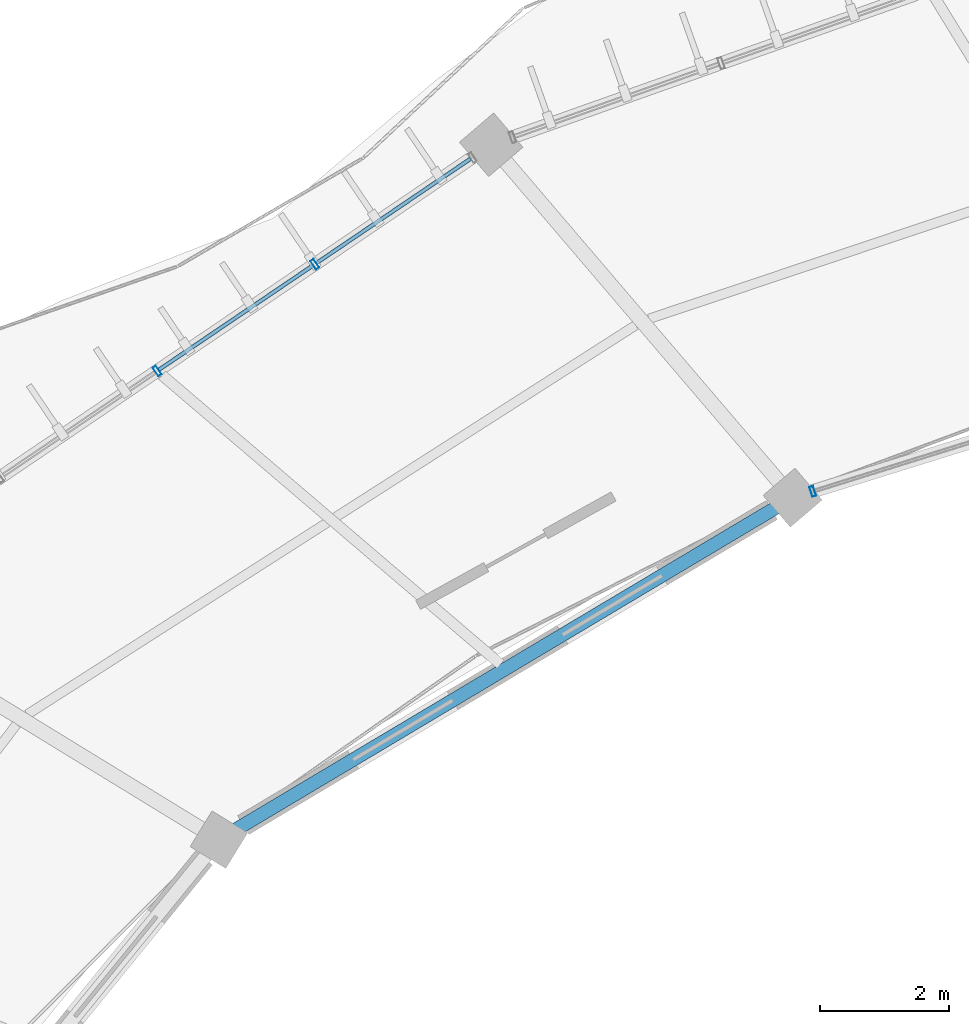
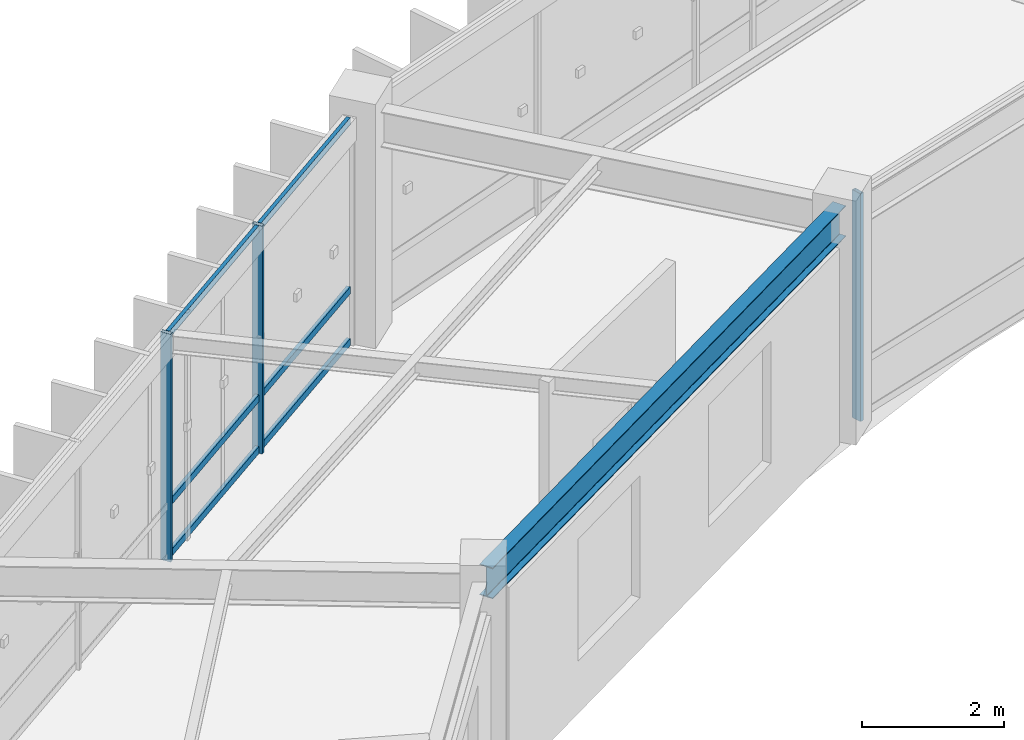
# One storey, part 45 of 138: 9 members, 1 beam, 2 elements without a shape of their own.
"""IFC4 building model written with IfcOpenShell, lengths in metres."""

from ifc_helpers import new_model, si_unit, direction, frame, origin, origin_2d, place, context, subcontext, project, spatial, hollow_rectangle, i_section, extrude, material, material_profile, profile_set, type_object, element, aggregate, save


model = new_model("IFC4")

# Units and contexts
model_context = context("Model", 3, precision=1e-05, world=origin(), true_north=direction((0.0, 1.0)))
body_context = subcontext(model_context, "Body", "Model", "MODEL_VIEW")
ifc_project = project(units=[si_unit("LENGTHUNIT", "METRE"), si_unit("AREAUNIT", "SQUARE_METRE"), si_unit("VOLUMEUNIT", "CUBIC_METRE"), si_unit("PLANEANGLEUNIT", "RADIAN"), si_unit("MASSUNIT", "GRAM", prefix="KILO"), si_unit("THERMODYNAMICTEMPERATUREUNIT", "KELVIN"), si_unit("POWERUNIT", "WATT")], contexts=[model_context])

# Site, building, storey
site_placement = place(None, origin())
site = spatial("IfcSite", under=ifc_project, at=site_placement, CompositionType="ELEMENT")
building_placement = place(site_placement, origin())
building = spatial("IfcBuilding", under=site, at=building_placement, Name="Darbajah Civic Hall", CompositionType="ELEMENT")
storey_placement = place(building_placement, frame((0.0, 0.0, 9.60009765625)))
storey = spatial("IfcBuildingStorey", under=building, at=storey_placement, Name="L02", CompositionType="ELEMENT", Elevation=9.60009765625)

# Curtain wall, member
ifc_material_1 = material(Name="Anodised Bronze Aluminium and Low-E Glazing", Category="aluminium")
curtain_wall_type_1 = type_object("IfcCurtainWallType", Name="Unitised Curtain Wall CW-43 11600x3900", PredefinedType="USERDEFINED", material=ifc_material_1)
curtain_wall_1_placement = place(storey_placement, origin())
curtain_wall_1 = element("IfcCurtainWall", 1, at=curtain_wall_1_placement, inside=storey, type_object=curtain_wall_type_1, Name="L02 unitised curtain wall CW-V1I-L02-06", ObjectType="UNITISED CURTAIN WALL", PredefinedType="USERDEFINED")
ifc_material_2 = material(Name="Anodised Bronze Aluminium", Category="aluminium")
ifc_material_profile_1 = material_profile(ifc_material_2, hollow_rectangle(XDim=0.06005859375, YDim=0.159912109375, WallThickness=0.00341796875, at=origin_2d()), Name="ALU MULLION 60x160")
ifc_profile_set_1 = profile_set([ifc_material_profile_1], Name="Anodised Bronze Aluminium")
member_type_1 = type_object("IfcMemberType", Name="ALU MULLION 60x160", PredefinedType="MULLION", material=ifc_profile_set_1)
member_1_placement = place(storey_placement, frame((60.96630859375, 106.8544921875, 0.0), z_axis=(0.0, 0.0, 1.0), x_axis=(-0.954604963513, -0.297874744877, 0.0)))
member_1 = element("IfcMember", 2, at=member_1_placement, type_object=member_type_1, Name="CW-V1I-L02-06 mullion 4", PredefinedType="MULLION", context=body_context, shape_type="SweptSolid", body=[
    extrude(hollow_rectangle(XDim=0.06005859375, YDim=0.159912109375, WallThickness=0.00341796875, at=origin_2d()), origin(), (0.0, 0.0, 1.0), 3.919921875),
])
aggregate(curtain_wall_1, [member_1])

# Curtain wall, members
curtain_wall_type_2 = type_object("IfcCurtainWallType", Name="Unitised Curtain Wall CW-26 11800x3900", PredefinedType="USERDEFINED", material=ifc_material_1)
curtain_wall_2_placement = place(storey_placement, origin())
curtain_wall_2 = element("IfcCurtainWall", 3, at=curtain_wall_2_placement, inside=storey, type_object=curtain_wall_type_2, Name="L02 unitised curtain wall CW-V1O-L02-07", ObjectType="UNITISED CURTAIN WALL", PredefinedType="USERDEFINED")
member_2_placement = place(storey_placement, frame((53.24169921875, 110.378662109375, 0.0), z_axis=(0.0, 0.0, 1.0), x_axis=(-0.827962472047, -0.560783509816, 0.0)))
member_2 = element("IfcMember", 4, at=member_2_placement, type_object=member_type_1, Name="CW-V1O-L02-07 mullion 2", PredefinedType="MULLION", context=body_context, shape_type="SweptSolid", body=[
    extrude(hollow_rectangle(XDim=0.06005859375, YDim=0.159912109375, WallThickness=0.00341796875, at=origin_2d()), origin(), (0.0, 0.0, 1.0), 3.919921875),
])
member_3_placement = place(storey_placement, frame((50.796875, 108.722900390625, 0.0), z_axis=(0.0, 0.0, 1.0), x_axis=(-0.827962472047, -0.560783509816, 0.0)))
member_3 = element("IfcMember", 5, at=member_3_placement, type_object=member_type_1, Name="CW-V1O-L02-07 mullion 3", PredefinedType="MULLION", context=body_context, shape_type="SweptSolid", body=[
    extrude(hollow_rectangle(XDim=0.06005859375, YDim=0.159912109375, WallThickness=0.00341796875, at=origin_2d()), origin(), (0.0, 0.0, 1.0), 3.919921875),
])
ifc_material_profile_2 = material_profile(ifc_material_2, hollow_rectangle(XDim=0.06005859375, YDim=0.1201171875, WallThickness=0.003173828125, at=origin_2d()), Name="ALU TRANSOM 60x120")
ifc_profile_set_2 = profile_set([ifc_material_profile_2], Name="Anodised Bronze Aluminium")
member_type_2 = type_object("IfcMemberType", Name="ALU TRANSOM 60x120", PredefinedType="USERDEFINED", material=ifc_profile_set_2)
member_4_placement = place(storey_placement, frame((55.65771484375, 112.014892578125, 0.059814453125), z_axis=(-0.828002403573, -0.560724548845, 0.0), x_axis=(0.560724548845, -0.828002403573, 0.0)))
member_4 = element("IfcMember", 6, at=member_4_placement, type_object=member_type_2, Name="CW-V1O-L02-07 transom 1.1", ObjectType="TRANSOM", PredefinedType="USERDEFINED", context=body_context, shape_type="SweptSolid", body=[
    extrude(hollow_rectangle(XDim=0.06005859375, YDim=0.1201171875, WallThickness=0.003173828125, at=origin_2d()), origin(), (0.0, 0.0, 1.0), 2.8828125),
])
member_5_placement = place(storey_placement, frame((55.65771484375, 112.014892578125, 0.949951171875), z_axis=(-0.828002403573, -0.560724548845, 0.0), x_axis=(0.560724548845, -0.828002403573, 0.0)))
member_5 = element("IfcMember", 7, at=member_5_placement, type_object=member_type_2, Name="CW-V1O-L02-07 transom 1.2", ObjectType="TRANSOM", PredefinedType="USERDEFINED", context=body_context, shape_type="SweptSolid", body=[
    extrude(hollow_rectangle(XDim=0.06005859375, YDim=0.1201171875, WallThickness=0.003173828125, at=origin_2d()), origin(), (0.0, 0.0, 1.0), 2.8828125),
])
member_6_placement = place(storey_placement, frame((55.65771484375, 112.014892578125, 3.85986328125), z_axis=(-0.828002403573, -0.560724548845, 0.0), x_axis=(0.560724548845, -0.828002403573, 0.0)))
member_6 = element("IfcMember", 8, at=member_6_placement, type_object=member_type_2, Name="CW-V1O-L02-07 transom 1.3", ObjectType="TRANSOM", PredefinedType="USERDEFINED", context=body_context, shape_type="SweptSolid", body=[
    extrude(hollow_rectangle(XDim=0.06005859375, YDim=0.1201171875, WallThickness=0.003173828125, at=origin_2d()), origin(), (0.0, 0.0, 1.0), 2.8828125),
])
member_7_placement = place(storey_placement, frame((53.212646484375, 110.359130859375, 0.059814453125), z_axis=(-0.82796308398, -0.560782606333, 0.0), x_axis=(0.560782606333, -0.82796308398, 0.0)))
member_7 = element("IfcMember", 9, at=member_7_placement, type_object=member_type_2, Name="CW-V1O-L02-07 transom 2.1", ObjectType="TRANSOM", PredefinedType="USERDEFINED", context=body_context, shape_type="SweptSolid", body=[
    extrude(hollow_rectangle(XDim=0.06005859375, YDim=0.1201171875, WallThickness=0.003173828125, at=origin_2d()), origin(), (0.0, 0.0, 1.0), 2.8828125),
])
member_8_placement = place(storey_placement, frame((53.212646484375, 110.359130859375, 0.949951171875), z_axis=(-0.82796308398, -0.560782606333, 0.0), x_axis=(0.560782606333, -0.82796308398, 0.0)))
member_8 = element("IfcMember", 10, at=member_8_placement, type_object=member_type_2, Name="CW-V1O-L02-07 transom 2.2", ObjectType="TRANSOM", PredefinedType="USERDEFINED", context=body_context, shape_type="SweptSolid", body=[
    extrude(hollow_rectangle(XDim=0.06005859375, YDim=0.1201171875, WallThickness=0.003173828125, at=origin_2d()), origin(), (0.0, 0.0, 1.0), 2.8828125),
])
member_9_placement = place(storey_placement, frame((53.212646484375, 110.359130859375, 3.85986328125), z_axis=(-0.82796308398, -0.560782606333, 0.0), x_axis=(0.560782606333, -0.82796308398, 0.0)))
member_9 = element("IfcMember", 11, at=member_9_placement, type_object=member_type_2, Name="CW-V1O-L02-07 transom 2.3", ObjectType="TRANSOM", PredefinedType="USERDEFINED", context=body_context, shape_type="SweptSolid", body=[
    extrude(hollow_rectangle(XDim=0.06005859375, YDim=0.1201171875, WallThickness=0.003173828125, at=origin_2d()), origin(), (0.0, 0.0, 1.0), 2.8828125),
])
aggregate(curtain_wall_2, [member_2, member_3, member_4, member_5, member_6, member_7, member_8, member_9])

# Beam
ifc_material_3 = material(Name="Steel S355JR", Category="steel")
ifc_material_profile_3 = material_profile(ifc_material_3, i_section(OverallWidth=0.209228515625, OverallDepth=0.533203125, WebThickness=0.010009765625, FlangeThickness=0.015625, FilletRadius=0.0126953125, at=origin_2d()), Name="UB 533x210x92")
ifc_profile_set_3 = profile_set([ifc_material_profile_3], Name="Steel S355JR")
beam_type = type_object("IfcBeamType", Name="UB 533x210x92", PredefinedType="BEAM", material=ifc_profile_set_3)
beam_placement = place(storey_placement, frame((60.58544921875, 106.716064453125, 3.6533203125), z_axis=(-0.858963370671, -0.512037037572, 0.0), x_axis=(0.512037037572, -0.858963370671, 0.0)))
element("IfcBeam", 12, at=beam_placement, inside=storey, type_object=beam_type, Name="L02 beam SB-533", PredefinedType="BEAM", context=body_context, shape_type="SweptSolid", body=[
    extrude(i_section(OverallWidth=0.209228515625, OverallDepth=0.533203125, WebThickness=0.010009765625, FlangeThickness=0.015625, FilletRadius=0.0126953125, at=origin_2d()), origin(), (0.0, 0.0, 1.0), 10.201171875),
])

save(model, "model.ifc")
